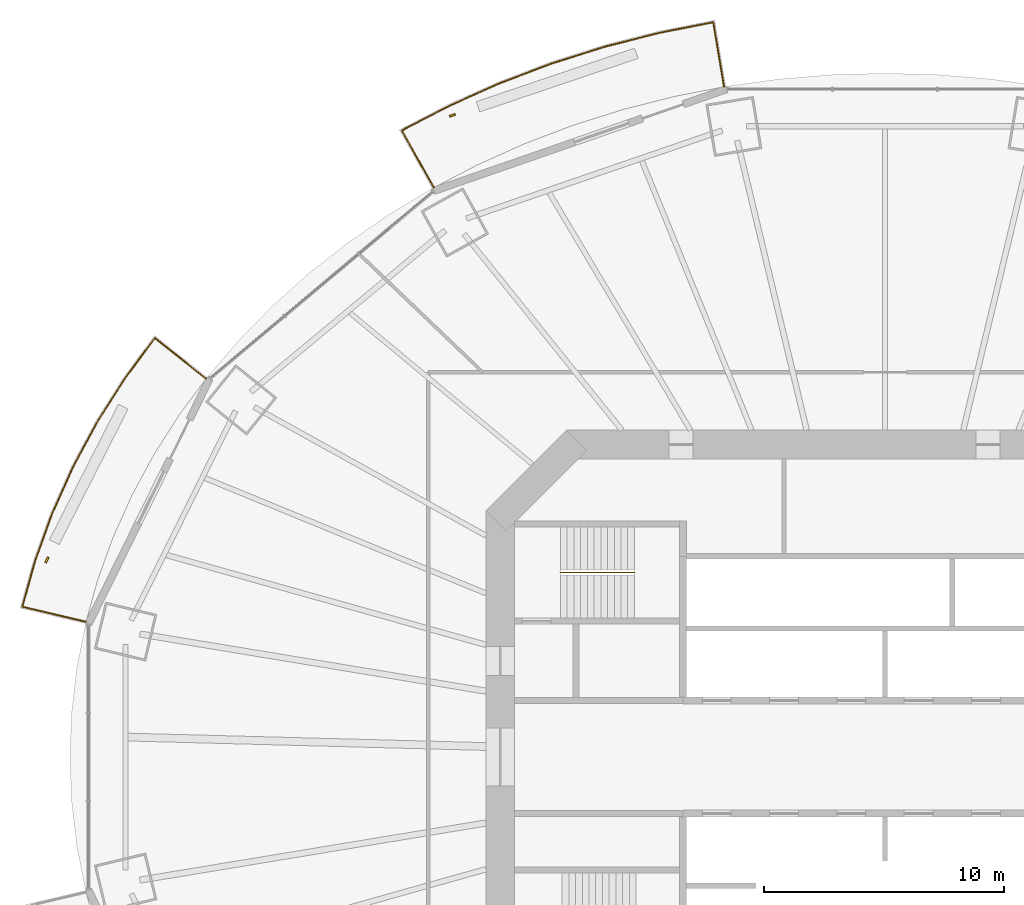
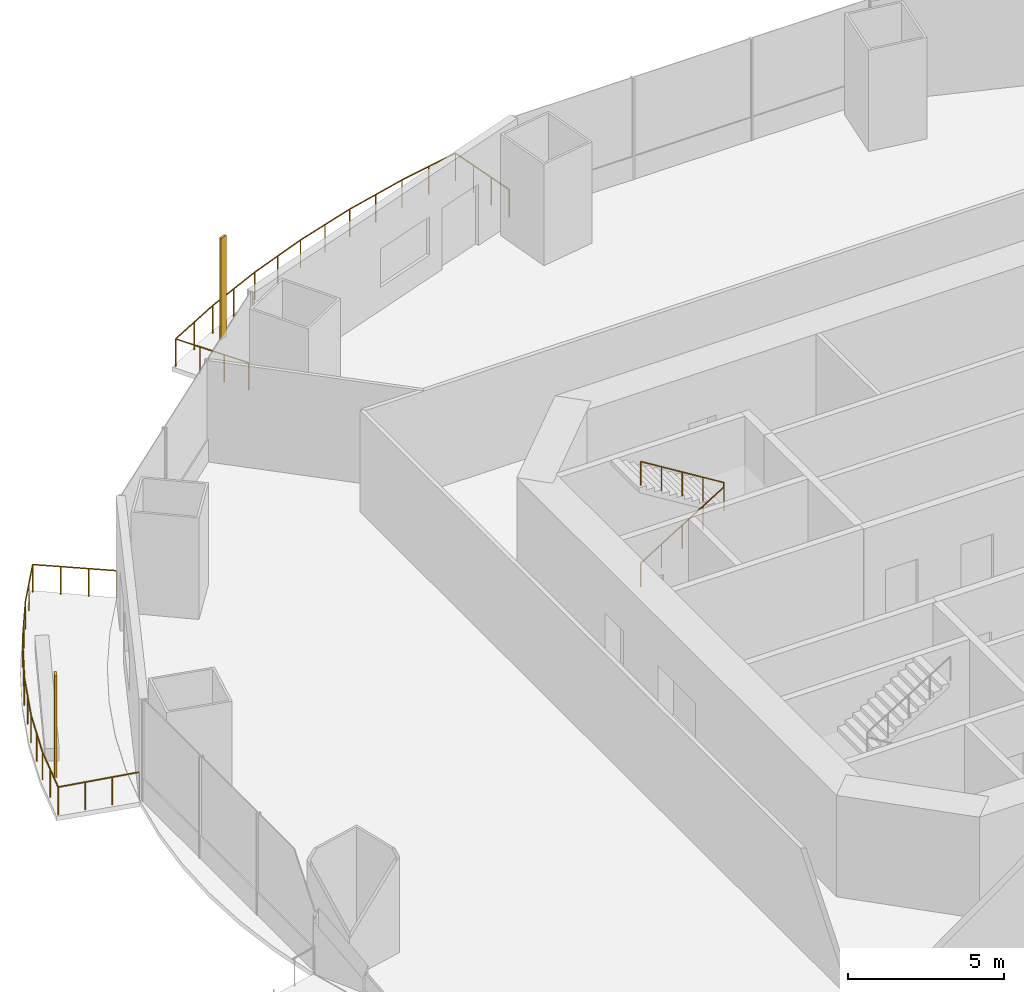
# One storey, part 19 of 21: 3 railings, 2 shading devices.
"""IFC4 building model written with IfcOpenShell, lengths in metres."""

from ifc_helpers import new_model, si_unit, direction, frame, origin, origin_2d, place, context, subcontext, project, spatial, rectangle, circle, extrude, material, material_profile, profile_set, type_object, element, save


model = new_model("IFC4")

# Units and contexts
model_context = context("Model", 3, precision=1e-05, world=origin(), true_north=direction((0.0, 1.0)))
body_context = subcontext(model_context, "Body", "Model", "MODEL_VIEW")
ifc_project = project(units=[si_unit("LENGTHUNIT", "METRE"), si_unit("AREAUNIT", "SQUARE_METRE"), si_unit("VOLUMEUNIT", "CUBIC_METRE"), si_unit("PLANEANGLEUNIT", "RADIAN"), si_unit("MASSUNIT", "GRAM", prefix="KILO")], contexts=[model_context])

# Site, building, storey
site_placement = place(None, origin())
site = spatial("IfcSite", under=ifc_project, at=site_placement, CompositionType="ELEMENT")
building_placement = place(site_placement, origin())
building = spatial("IfcBuilding", under=site, at=building_placement, Name="Marenthal Gate Tower", CompositionType="ELEMENT")
storey_placement = place(building_placement, frame((0.0, 0.0, 124.300048828125)))
storey = spatial("IfcBuildingStorey", under=building, at=storey_placement, Name="L26", CompositionType="ELEMENT", Elevation=124.300048828125)

# Railings
ifc_material_1 = material(Name="Stainless steel", Category="steel")
railing_type_1 = type_object("IfcRailingType", Name="Balcony guard 1100", PredefinedType="GUARDRAIL", material=ifc_material_1)
railing_1_placement = place(storey_placement, frame((-18.766357421875, 23.687744140625, 0.0)))
element("IfcRailing", 1, at=railing_1_placement, inside=storey, type_object=railing_type_1, Name="Balcony guard L26 bay 5", PredefinedType="GUARDRAIL", context=body_context, shape_type="SweptSolid", body=[
    extrude(circle(Radius=0.02392578125, at=origin_2d()), frame((0.0, 0.0, 1.076171875), z_axis=(-0.489197979897, 0.87204857286, -0.014718119373), x_axis=(-0.872143041114, -0.489250974283, 0.0)), (0.0, 0.0, 1.0), 2.720458984375),
    extrude(circle(Radius=0.02392578125, at=origin_2d()), frame((-1.330810546875, 2.372314453125, 1.0361328125), z_axis=(0.887124453904, 0.461530284257, 0.0), x_axis=(-0.461530284257, 0.887124453904, 0.0)), (0.0, 0.0, 1.0), 2.2080078125),
    extrude(circle(Radius=0.02392578125, at=origin_2d()), frame((0.6279296875, 3.391357421875, 1.0361328125), z_axis=(0.912452038961, 0.409183670979, 0.0), x_axis=(-0.409183670979, 0.912452038961, 0.0)), (0.0, 0.0, 1.0), 2.30419921875),
    extrude(circle(Radius=0.02392578125, at=origin_2d()), frame((2.73046875, 4.334228515625, 1.0361328125), z_axis=(0.934727645052, 0.355364924515, 0.0), x_axis=(-0.355364924515, 0.934727645052, 0.0)), (0.0, 0.0, 1.0), 2.3193359375),
    extrude(circle(Radius=0.02392578125, at=origin_2d()), frame((4.8984375, 5.158447265625, 1.0361328125), z_axis=(0.953617459754, 0.301021162798, 0.0), x_axis=(-0.301021162798, 0.953617459754, 0.0)), (0.0, 0.0, 1.0), 2.33251953125),
    extrude(circle(Radius=0.02392578125, at=origin_2d()), frame((7.122802734375, 5.860595703125, 1.0361328125), z_axis=(0.969104417167, 0.246650823286, 0.0), x_axis=(-0.246650823286, 0.969104417167, 0.0)), (0.0, 0.0, 1.0), 2.343994140625),
    extrude(circle(Radius=0.02392578125, at=origin_2d()), frame((9.394287109375, 6.438720703125, 1.0361328125), z_axis=(0.981203457672, 0.192976098658, 0.0), x_axis=(-0.192976098658, 0.981203457672, 0.0)), (0.0, 0.0, 1.0), 2.2734375),
    extrude(circle(Radius=0.02392578125, at=origin_2d()), frame((11.625, 6.87744140625, 1.0361328125), z_axis=(0.164774109377, -0.986221507592, 0.014718384498), x_axis=(0.986328347949, 0.164791959854, 0.0)), (0.0, 0.0, 1.0), 2.720458984375),
    extrude(circle(Radius=0.02099609375, at=origin_2d()), origin(), (0.0, 0.0, 1.0), 1.052001953125),
    extrude(circle(Radius=0.02099609375, at=origin_2d()), frame((-0.443603515625, 0.790771484375, -0.013427734375)), (0.0, 0.0, 1.0), 1.052001953125),
    extrude(circle(Radius=0.02099609375, at=origin_2d()), frame((-0.88720703125, 1.58154296875, -0.026611328125)), (0.0, 0.0, 1.0), 1.052001953125),
    extrude(circle(Radius=0.02099609375, at=origin_2d()), frame((-1.330810546875, 2.372314453125, -0.0400390625)), (0.0, 0.0, 1.0), 1.052001953125),
    extrude(circle(Radius=0.02099609375, at=origin_2d()), frame((-0.3515625, 2.8818359375, -0.0400390625)), (0.0, 0.0, 1.0), 1.052001953125),
    extrude(circle(Radius=0.02099609375, at=origin_2d()), frame((0.6279296875, 3.391357421875, -0.0400390625)), (0.0, 0.0, 1.0), 1.052001953125),
    extrude(circle(Radius=0.02099609375, at=origin_2d()), frame((1.67919921875, 3.86279296875, -0.0400390625)), (0.0, 0.0, 1.0), 1.052001953125),
    extrude(circle(Radius=0.02099609375, at=origin_2d()), frame((2.73046875, 4.334228515625, -0.0400390625)), (0.0, 0.0, 1.0), 1.052001953125),
    extrude(circle(Radius=0.02099609375, at=origin_2d()), frame((3.814453125, 4.746337890625, -0.0400390625)), (0.0, 0.0, 1.0), 1.052001953125),
    extrude(circle(Radius=0.02099609375, at=origin_2d()), frame((4.8984375, 5.158447265625, -0.0400390625)), (0.0, 0.0, 1.0), 1.052001953125),
    extrude(circle(Radius=0.02099609375, at=origin_2d()), frame((6.0107421875, 5.509521484375, -0.0400390625)), (0.0, 0.0, 1.0), 1.052001953125),
    extrude(circle(Radius=0.02099609375, at=origin_2d()), frame((7.122802734375, 5.860595703125, -0.0400390625)), (0.0, 0.0, 1.0), 1.052001953125),
    extrude(circle(Radius=0.02099609375, at=origin_2d()), frame((8.258544921875, 6.149658203125, -0.0400390625)), (0.0, 0.0, 1.0), 1.052001953125),
    extrude(circle(Radius=0.02099609375, at=origin_2d()), frame((9.394287109375, 6.438720703125, -0.0400390625)), (0.0, 0.0, 1.0), 1.052001953125),
    extrude(circle(Radius=0.02099609375, at=origin_2d()), frame((10.509765625, 6.658203125, -0.0400390625)), (0.0, 0.0, 1.0), 1.052001953125),
    extrude(circle(Radius=0.02099609375, at=origin_2d()), frame((11.625, 6.87744140625, -0.0400390625)), (0.0, 0.0, 1.0), 1.052001953125),
    extrude(circle(Radius=0.02099609375, at=origin_2d()), frame((11.7744140625, 5.983154296875, -0.026611328125)), (0.0, 0.0, 1.0), 1.052001953125),
    extrude(circle(Radius=0.02099609375, at=origin_2d()), frame((11.923828125, 5.0888671875, -0.013427734375)), (0.0, 0.0, 1.0), 1.052001953125),
    extrude(circle(Radius=0.02099609375, at=origin_2d()), frame((12.0732421875, 4.194580078125, 0.0)), (0.0, 0.0, 1.0), 1.052001953125),
])
railing_2_placement = place(storey_placement, frame((-33.234130859375, 5.626708984375, 0.0)))
element("IfcRailing", 2, at=railing_2_placement, inside=storey, type_object=railing_type_1, Name="Balcony guard L26 bay 7", PredefinedType="GUARDRAIL", context=body_context, shape_type="SweptSolid", body=[
    extrude(circle(Radius=0.02392578125, at=origin_2d()), frame((0.0, 0.0, 1.076171875), z_axis=(-0.972966930586, 0.230474963356, -0.014718806071), x_axis=(-0.230499932836, -0.973072341074, 0.0)), (0.0, 0.0, 1.0), 2.72021484375),
    extrude(circle(Radius=0.02392578125, at=origin_2d()), frame((-2.646728515625, 0.626953125, 1.0361328125), z_axis=(0.269210641776, 0.963081320738, 0.0), x_axis=(-0.963081320738, 0.269210641776, 0.0)), (0.0, 0.0, 1.0), 2.0087890625),
    extrude(circle(Radius=0.02392578125, at=origin_2d()), frame((-2.10595703125, 2.5615234375, 1.0361328125), z_axis=(0.340033207947, 0.940413429026, 0.0), x_axis=(-0.940413429026, 0.340033207947, 0.0)), (0.0, 0.0, 1.0), 2.0986328125),
    extrude(circle(Radius=0.02392578125, at=origin_2d()), frame((-1.392333984375, 4.53515625, 1.0361328125), z_axis=(0.409344821555, 0.912379754853, 0.0), x_axis=(-0.912379754853, 0.409344821555, 0.0)), (0.0, 0.0, 1.0), 2.11083984375),
    extrude(circle(Radius=0.02392578125, at=origin_2d()), frame((-0.5283203125, 6.4609375, 1.0361328125), z_axis=(0.475168488039, 0.879894827792, 0.0), x_axis=(-0.879894827792, 0.475168488039, 0.0)), (0.0, 0.0, 1.0), 2.12451171875),
    extrude(circle(Radius=0.02392578125, at=origin_2d()), frame((0.481201171875, 8.330322265625, 1.0361328125), z_axis=(0.537259241166, 0.843417161185, 0.0), x_axis=(-0.843417161185, 0.537259241166, 0.0)), (0.0, 0.0, 1.0), 2.140380859375),
    extrude(circle(Radius=0.02392578125, at=origin_2d()), frame((1.631103515625, 10.135498046875, 1.0361328125), z_axis=(0.594457150675, 0.804127288438, 0.0), x_axis=(-0.804127288438, 0.594457150675, 0.0)), (0.0, 0.0, 1.0), 2.077392578125),
    extrude(circle(Radius=0.02392578125, at=origin_2d()), frame((2.865966796875, 11.805908203125, 1.0361328125), z_axis=(0.782384075223, -0.622622270256, 0.014719626974), x_axis=(0.622689732199, 0.782468847568, 0.0)), (0.0, 0.0, 1.0), 2.72021484375),
    extrude(circle(Radius=0.02099609375, at=origin_2d()), origin(), (0.0, 0.0, 1.0), 1.052001953125),
    extrude(circle(Radius=0.02099609375, at=origin_2d()), frame((-0.88232421875, 0.208984375, -0.013427734375)), (0.0, 0.0, 1.0), 1.052001953125),
    extrude(circle(Radius=0.02099609375, at=origin_2d()), frame((-1.764404296875, 0.41796875, -0.026611328125)), (0.0, 0.0, 1.0), 1.052001953125),
    extrude(circle(Radius=0.02099609375, at=origin_2d()), frame((-2.646728515625, 0.626953125, -0.0400390625)), (0.0, 0.0, 1.0), 1.052001953125),
    extrude(circle(Radius=0.02099609375, at=origin_2d()), frame((-2.37646484375, 1.59423828125, -0.0400390625)), (0.0, 0.0, 1.0), 1.052001953125),
    extrude(circle(Radius=0.02099609375, at=origin_2d()), frame((-2.10595703125, 2.5615234375, -0.0400390625)), (0.0, 0.0, 1.0), 1.052001953125),
    extrude(circle(Radius=0.02099609375, at=origin_2d()), frame((-1.7490234375, 3.54833984375, -0.0400390625)), (0.0, 0.0, 1.0), 1.052001953125),
    extrude(circle(Radius=0.02099609375, at=origin_2d()), frame((-1.392333984375, 4.53515625, -0.0400390625)), (0.0, 0.0, 1.0), 1.052001953125),
    extrude(circle(Radius=0.02099609375, at=origin_2d()), frame((-0.96044921875, 5.498046875, -0.0400390625)), (0.0, 0.0, 1.0), 1.052001953125),
    extrude(circle(Radius=0.02099609375, at=origin_2d()), frame((-0.5283203125, 6.4609375, -0.0400390625)), (0.0, 0.0, 1.0), 1.052001953125),
    extrude(circle(Radius=0.02099609375, at=origin_2d()), frame((-0.0234375, 7.3955078125, -0.0400390625)), (0.0, 0.0, 1.0), 1.052001953125),
    extrude(circle(Radius=0.02099609375, at=origin_2d()), frame((0.481201171875, 8.330322265625, -0.0400390625)), (0.0, 0.0, 1.0), 1.052001953125),
    extrude(circle(Radius=0.02099609375, at=origin_2d()), frame((1.05615234375, 9.23291015625, -0.0400390625)), (0.0, 0.0, 1.0), 1.052001953125),
    extrude(circle(Radius=0.02099609375, at=origin_2d()), frame((1.631103515625, 10.135498046875, -0.0400390625)), (0.0, 0.0, 1.0), 1.052001953125),
    extrude(circle(Radius=0.02099609375, at=origin_2d()), frame((2.24853515625, 10.970703125, -0.0400390625)), (0.0, 0.0, 1.0), 1.052001953125),
    extrude(circle(Radius=0.02099609375, at=origin_2d()), frame((2.865966796875, 11.805908203125, -0.0400390625)), (0.0, 0.0, 1.0), 1.052001953125),
    extrude(circle(Radius=0.02099609375, at=origin_2d()), frame((3.575439453125, 11.241455078125, -0.026611328125)), (0.0, 0.0, 1.0), 1.052001953125),
    extrude(circle(Radius=0.02099609375, at=origin_2d()), frame((4.28466796875, 10.6767578125, -0.013427734375)), (0.0, 0.0, 1.0), 1.052001953125),
    extrude(circle(Radius=0.02099609375, at=origin_2d()), frame((4.994140625, 10.1123046875, 0.0)), (0.0, 0.0, 1.0), 1.052001953125),
])
ifc_material_2 = material(Name="Stainless steel", Category="steel")
railing_type_2 = type_object("IfcRailingType", Name="Stair handrail", PredefinedType="HANDRAIL", material=ifc_material_2)
railing_3_placement = place(storey_placement, frame((-13.5, 7.675048828125, 0.1728515625)))
element("IfcRailing", 3, at=railing_3_placement, inside=storey, type_object=railing_type_2, Name="Handrail ST1", PredefinedType="HANDRAIL", context=body_context, shape_type="SweptSolid", body=[
    extrude(circle(Radius=0.0224609375, at=origin_2d()), frame((0.0, 0.0, 0.927490234375), z_axis=(0.850835241893, 0.0, 0.525432575268), x_axis=(0.0, 1.0, 0.0)), (0.0, 0.0, 1.0), 3.6201171875),
    extrude(circle(Radius=0.0224609375, at=origin_2d()), frame((3.080078125, 0.0, 2.82958984375), z_axis=(0.0, 0.0, 1.0), x_axis=(1.0, 0.0, 0.0)), (0.0, 0.0, 1.0), 0.1728515625),
    extrude(circle(Radius=0.0224609375, at=origin_2d()), frame((3.080078125, 0.0, 3.00244140625), z_axis=(-0.850835241893, 0.0, 0.525432575268), x_axis=(0.0, -1.0, 0.0)), (0.0, 0.0, 1.0), 3.6201171875),
    extrude(circle(Radius=0.02001953125, at=origin_2d()), origin(), (0.0, 0.0, 1.0), 0.905029296875),
    extrude(circle(Radius=0.02001953125, at=origin_2d()), frame((0.77001953125, 0.0, 0.4755859375)), (0.0, 0.0, 1.0), 0.905029296875),
    extrude(circle(Radius=0.02001953125, at=origin_2d()), frame((1.5400390625, 0.0, 0.951171875)), (0.0, 0.0, 1.0), 0.905029296875),
    extrude(circle(Radius=0.02001953125, at=origin_2d()), frame((2.31005859375, 0.0, 1.426513671875)), (0.0, 0.0, 1.0), 0.905029296875),
    extrude(circle(Radius=0.02001953125, at=origin_2d()), frame((3.080078125, 0.0, 1.902099609375)), (0.0, 0.0, 1.0), 0.905029296875),
    extrude(circle(Radius=0.02001953125, at=origin_2d()), frame((3.080078125, 0.0, 2.074951171875)), (0.0, 0.0, 1.0), 0.905029296875),
    extrude(circle(Radius=0.02001953125, at=origin_2d()), frame((2.31005859375, 0.0, 2.550537109375)), (0.0, 0.0, 1.0), 0.905029296875),
    extrude(circle(Radius=0.02001953125, at=origin_2d()), frame((1.5400390625, 0.0, 3.02587890625)), (0.0, 0.0, 1.0), 0.905029296875),
    extrude(circle(Radius=0.02001953125, at=origin_2d()), frame((0.77001953125, 0.0, 3.50146484375)), (0.0, 0.0, 1.0), 0.905029296875),
    extrude(circle(Radius=0.02001953125, at=origin_2d()), frame((0.0, 0.0, 3.97705078125)), (0.0, 0.0, 1.0), 0.905029296875),
])

# Shading devices
ifc_material_3 = material(Name="Terracotta", Category="masonry")
ifc_material_profile = material_profile(ifc_material_3, rectangle(XDim=0.25, YDim=0.080078125, at=origin_2d()), Name="Terracotta baguette 250x80")
ifc_profile_set = profile_set([ifc_material_profile], Name="Terracotta")
shading_device_type = type_object("IfcShadingDeviceType", Name="Terracotta BAGUETTE SCREEN 250x80", PredefinedType="USERDEFINED", material=ifc_profile_set)
for number, where, z_axis, x_axis, name in (
    (4, (-17.989501953125, 26.689453125, -0.0400390625), (0.0, 0.0, 1.0), (-0.944576320007, -0.328291906207, 0.0), "Terracotta BAGUETTE L26 bay 5R"),
    (5, (-34.85888671875, 8.199462890625, -0.0400390625), (0.0, 0.0, 1.0), (-0.442657811607, -0.896690616558, 0.0), "Terracotta BAGUETTE L26 bay 7R"),
):
    element("IfcShadingDevice", number, at=place(storey_placement, frame(where, z_axis=z_axis, x_axis=x_axis)), inside=storey, type_object=shading_device_type, Name=name, ObjectType="BAGUETTE SCREEN", PredefinedType="USERDEFINED", context=body_context, shape_type="SweptSolid", body=[
        extrude(rectangle(XDim=0.25, YDim=0.080078125, at=origin_2d()), origin(), (0.0, 0.0, 1.0), 3.969970703125),
    ])

save(model, "model.ifc")
